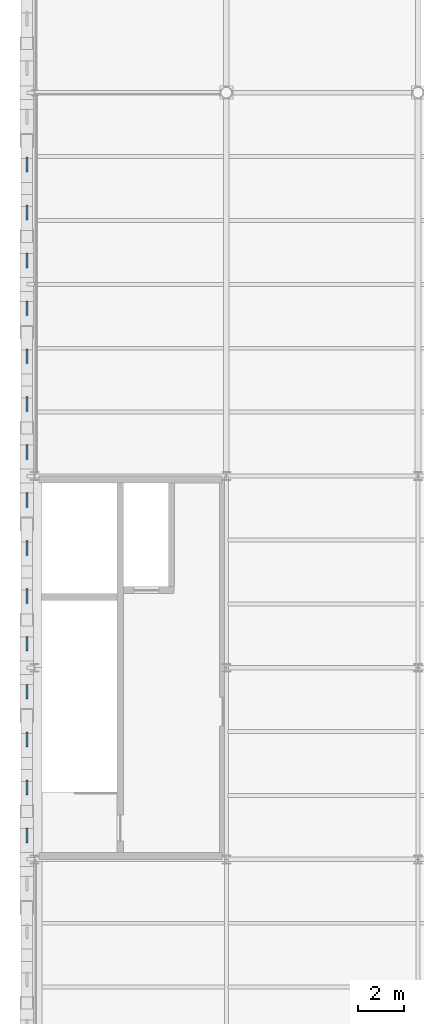
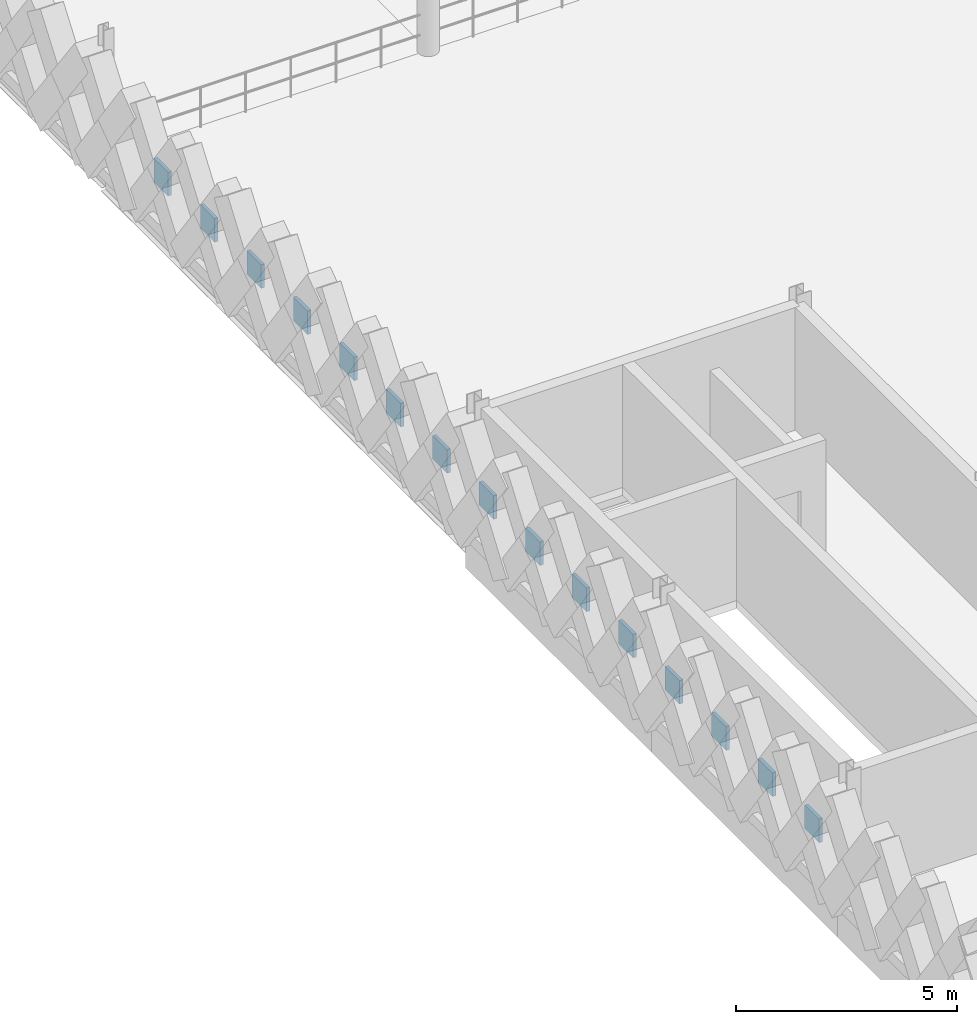
# One storey, part 35 of 47: 15 plates.
"""IFC4 building model written with IfcOpenShell, lengths in metres."""

from ifc_helpers import new_model, si_unit, direction, frame, origin, origin_2d, place, context, subcontext, project, spatial, rectangle, extrude, material, layer, layer_set, type_object, element, save


model = new_model("IFC4")

# Units and contexts
model_context = context("Model", 3, precision=1e-05, world=origin(), true_north=direction((0.0, 1.0)))
body_context = subcontext(model_context, "Body", "Model", "MODEL_VIEW")
ifc_project = project(units=[si_unit("LENGTHUNIT", "METRE"), si_unit("AREAUNIT", "SQUARE_METRE"), si_unit("VOLUMEUNIT", "CUBIC_METRE"), si_unit("PLANEANGLEUNIT", "RADIAN"), si_unit("MASSUNIT", "GRAM", prefix="KILO"), si_unit("THERMODYNAMICTEMPERATUREUNIT", "KELVIN"), si_unit("POWERUNIT", "WATT")], contexts=[model_context])

# Site, building, storey
site_placement = place(None, origin())
site = spatial("IfcSite", under=ifc_project, at=site_placement, CompositionType="ELEMENT")
building_placement = place(site_placement, origin())
building = spatial("IfcBuilding", under=site, at=building_placement, Name="Tembeka Court Mobility Hub", CompositionType="ELEMENT")
storey_placement = place(building_placement, frame((0.0, 0.0, 19.800048828125)))
storey = spatial("IfcBuildingStorey", under=building, at=storey_placement, Name="L05", CompositionType="ELEMENT", Elevation=19.800048828125)

# Plates
ifc_material = material(Name="Precast concrete C45/55", Category="concrete")
ifc_layer = layer(ifc_material, 0.090087890625)
ifc_layer_set = layer_set([ifc_layer], Name="Precast concrete C45/55")
plate_type = type_object("IfcPlateType", Name="PL-PC01", PredefinedType="SHEET", material=ifc_layer_set)
for number, where, z_axis, x_axis, name in (
    (1, (-0.340087890625, 64.64990234375, 1.159912109375), (0.0, 0.0, 1.0), (1.0, 0.0, 0.0), "Precast diamond lattice node plate PCN01 (L05-907)"),
    (2, (-0.340087890625, 66.75, 1.159912109375), (0.0, 0.0, 1.0), (1.0, 0.0, 0.0), "Precast diamond lattice node plate PCN01 (L05-908)"),
    (3, (-0.340087890625, 68.85009765625, 1.159912109375), (0.0, 0.0, 1.0), (1.0, 0.0, 0.0), "Precast diamond lattice node plate PCN01 (L05-909)"),
    (4, (-0.340087890625, 70.949951171875, 1.159912109375), (0.0, 0.0, 1.0), (1.0, 0.0, 0.0), "Precast diamond lattice node plate PCN01 (L05-910)"),
    (5, (-0.340087890625, 73.050048828125, 1.159912109375), (0.0, 0.0, 1.0), (1.0, 0.0, 0.0), "Precast diamond lattice node plate PCN01 (L05-911)"),
    (6, (-0.340087890625, 75.14990234375, 1.159912109375), (0.0, 0.0, 1.0), (1.0, 0.0, 0.0), "Precast diamond lattice node plate PCN01 (L05-912)"),
    (7, (-0.340087890625, 77.25, 1.159912109375), (0.0, 0.0, 1.0), (1.0, 0.0, 0.0), "Precast diamond lattice node plate PCN01 (L05-913)"),
    (8, (-0.340087890625, 79.35009765625, 1.159912109375), (0.0, 0.0, 1.0), (1.0, 0.0, 0.0), "Precast diamond lattice node plate PCN01 (L05-914)"),
    (9, (-0.340087890625, 81.449951171875, 1.159912109375), (0.0, 0.0, 1.0), (1.0, 0.0, 0.0), "Precast diamond lattice node plate PCN01 (L05-915)"),
    (10, (-0.340087890625, 83.550048828125, 1.159912109375), (0.0, 0.0, 1.0), (1.0, 0.0, 0.0), "Precast diamond lattice node plate PCN01 (L05-916)"),
    (11, (-0.340087890625, 85.64990234375, 1.159912109375), (0.0, 0.0, 1.0), (1.0, 0.0, 0.0), "Precast diamond lattice node plate PCN01 (L05-917)"),
    (12, (-0.340087890625, 87.75, 1.159912109375), (0.0, 0.0, 1.0), (1.0, 0.0, 0.0), "Precast diamond lattice node plate PCN01 (L05-918)"),
    (13, (-0.340087890625, 89.85009765625, 1.159912109375), (0.0, 0.0, 1.0), (1.0, 0.0, 0.0), "Precast diamond lattice node plate PCN01 (L05-919)"),
    (14, (-0.340087890625, 91.949951171875, 1.159912109375), (0.0, 0.0, 1.0), (1.0, 0.0, 0.0), "Precast diamond lattice node plate PCN01 (L05-920)"),
    (15, (-0.340087890625, 94.050048828125, 1.159912109375), (0.0, 0.0, 1.0), (1.0, 0.0, 0.0), "Precast diamond lattice node plate PCN01 (L05-921)"),
):
    element("IfcPlate", number, at=place(storey_placement, frame(where, z_axis=z_axis, x_axis=x_axis)), inside=storey, type_object=plate_type, Name=name, PredefinedType="SHEET", context=body_context, shape_type="SweptSolid", body=[
        extrude(rectangle(XDim=0.090087890625, YDim=0.64990234375, at=origin_2d()), origin(), (0.0, 0.0, 1.0), 0.64990234375),
    ])

save(model, "model.ifc")
